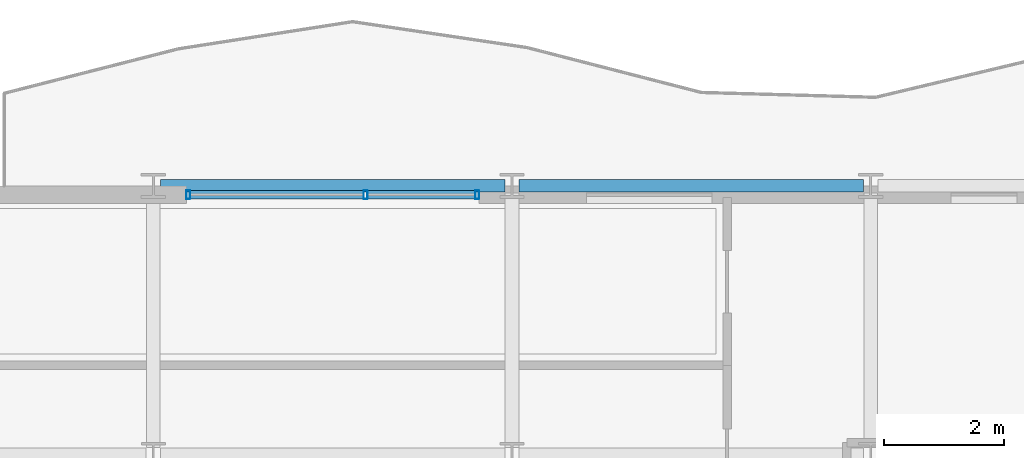
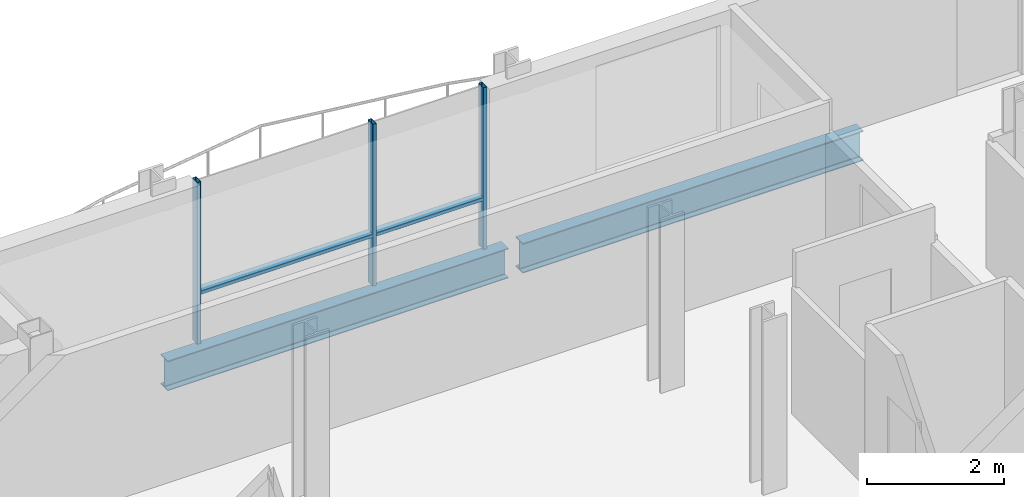
# One storey, part 23 of 41: 5 members, 2 beams, 1 element without a shape of its own.
"""IFC4 building model written with IfcOpenShell, lengths in metres."""

from ifc_helpers import new_model, si_unit, direction, frame, origin, origin_2d, place, context, subcontext, project, spatial, hollow_rectangle, i_section, extrude, material, layer, layer_set, material_profile, profile_set, type_object, element, aggregate, save


model = new_model("IFC4")

# Units and contexts
model_context = context("Model", 3, precision=1e-05, world=origin(), true_north=direction((0.0, 1.0)))
body_context = subcontext(model_context, "Body", "Model", "MODEL_VIEW")
ifc_project = project(units=[si_unit("LENGTHUNIT", "METRE"), si_unit("AREAUNIT", "SQUARE_METRE"), si_unit("VOLUMEUNIT", "CUBIC_METRE"), si_unit("PLANEANGLEUNIT", "RADIAN"), si_unit("MASSUNIT", "GRAM", prefix="KILO")], contexts=[model_context])

# Site, building, storey
site_placement = place(None, origin())
site = spatial("IfcSite", under=ifc_project, at=site_placement, CompositionType="ELEMENT")
building_placement = place(site_placement, origin())
building = spatial("IfcBuilding", under=site, at=building_placement, Name="Brevholm Reach", CompositionType="ELEMENT")
storey_placement = place(building_placement, frame((0.0, 0.0, 169.699951171875)))
storey = spatial("IfcBuildingStorey", under=building, at=storey_placement, Name="L51", CompositionType="ELEMENT", Elevation=169.699951171875)

# Beams
ifc_material_1 = material(Name="Structural Steel S355J2", Category="steel")
ifc_material_profile_1 = material_profile(ifc_material_1, i_section(OverallWidth=0.209228515625, OverallDepth=0.533203125, WebThickness=0.010009765625, FlangeThickness=0.015625, FilletRadius=0.0126953125, at=origin_2d()), Name="UKB 533x210x92")
ifc_profile_set_1 = profile_set([ifc_material_profile_1], Name="Structural Steel S355J2")
beam_type = type_object("IfcBeamType", Name="BM-SP533", PredefinedType="SPANDREL", material=ifc_profile_set_1)
for number, where, z_axis, x_axis, name in (
    (1, (6.1201171875, 31.0, -0.486572265625), (1.0, 0.0, 0.0), (0.0, 1.0, 0.0), "L51 SP-02 Framing Beam"),
    (2, (12.1201171875, 31.0, -0.486572265625), (1.0, 0.0, 0.0), (0.0, 1.0, 0.0), "L51 SP-02 Framing Beam"),
):
    element("IfcBeam", number, at=place(storey_placement, frame(where, z_axis=z_axis, x_axis=x_axis)), inside=storey, type_object=beam_type, Name=name, PredefinedType="SPANDREL", context=body_context, shape_type="SweptSolid", body=[
        extrude(i_section(OverallWidth=0.209228515625, OverallDepth=0.533203125, WebThickness=0.010009765625, FlangeThickness=0.015625, FilletRadius=0.0126953125, at=origin_2d()), origin(), (0.0, 0.0, 1.0), 5.759765625),
    ])

# Curtain wall, members
ifc_material_2 = material(Name="Dark Anodised Aluminium 6063-T6 and Solar-Control Glass", Category="aluminium")
ifc_layer = layer(ifc_material_2, 0.14990234375)
ifc_layer_set = layer_set([ifc_layer], Name="Dark Anodised Aluminium 6063-T6 and Solar-Control Glass")
curtain_wall_type = type_object("IfcCurtainWallType", Name="CW-01", PredefinedType="NOTDEFINED", material=ifc_layer_set)
curtain_wall_placement = place(storey_placement, origin())
curtain_wall = element("IfcCurtainWall", 3, at=curtain_wall_placement, inside=storey, type_object=curtain_wall_type, Name="L51 Curtain Wall CW-01", PredefinedType="NOTDEFINED")
ifc_material_3 = material(Name="Dark Anodised Aluminium 6063-T6", Category="aluminium")
ifc_material_profile_2 = material_profile(ifc_material_3, hollow_rectangle(XDim=0.06494140625, YDim=0.14990234375, WallThickness=0.0048828125, InnerFilletRadius=0.0048828125, OuterFilletRadius=0.010009765625, at=origin_2d()), Name="RHS 150x65x5")
ifc_profile_set_2 = profile_set([ifc_material_profile_2], Name="Dark Anodised Aluminium 6063-T6")
member_type_1 = type_object("IfcMemberType", Name="CWM-150", PredefinedType="MULLION", material=ifc_profile_set_2)
member_1_placement = place(storey_placement, frame((6.58251953125, 30.85009765625, 0.0), z_axis=(0.0, 0.0, 1.0), x_axis=(1.0, 0.0, 0.0)))
member_1 = element("IfcMember", 4, at=member_1_placement, type_object=member_type_1, Name="CM-150 Mullion 1", PredefinedType="MULLION", context=body_context, shape_type="SweptSolid", body=[
    extrude(hollow_rectangle(XDim=0.06494140625, YDim=0.14990234375, WallThickness=0.0048828125, InnerFilletRadius=0.0048828125, OuterFilletRadius=0.010009765625, at=origin_2d()), origin(), (0.0, 0.0, 1.0), 2.89013671875),
])
member_2_placement = place(storey_placement, frame((9.550048828125, 30.85009765625, 0.0), z_axis=(0.0, 0.0, 1.0), x_axis=(1.0, 0.0, 0.0)))
member_2 = element("IfcMember", 5, at=member_2_placement, type_object=member_type_1, Name="CM-150 Mullion 2", PredefinedType="MULLION", context=body_context, shape_type="SweptSolid", body=[
    extrude(hollow_rectangle(XDim=0.06494140625, YDim=0.14990234375, WallThickness=0.0048828125, InnerFilletRadius=0.0048828125, OuterFilletRadius=0.010009765625, at=origin_2d()), origin(), (0.0, 0.0, 1.0), 2.89013671875),
])
member_3_placement = place(storey_placement, frame((11.41748046875, 30.85009765625, 0.0), z_axis=(0.0, 0.0, 1.0), x_axis=(1.0, 0.0, 0.0)))
member_3 = element("IfcMember", 6, at=member_3_placement, type_object=member_type_1, Name="CM-150 Mullion 3", PredefinedType="MULLION", context=body_context, shape_type="SweptSolid", body=[
    extrude(hollow_rectangle(XDim=0.06494140625, YDim=0.14990234375, WallThickness=0.0048828125, InnerFilletRadius=0.0048828125, OuterFilletRadius=0.010009765625, at=origin_2d()), origin(), (0.0, 0.0, 1.0), 2.89013671875),
])
ifc_material_4 = material(Name="Dark Anodised Aluminium 6063-T6", Category="aluminium")
ifc_material_profile_3 = material_profile(ifc_material_4, hollow_rectangle(XDim=0.06494140625, YDim=0.14990234375, WallThickness=0.0048828125, InnerFilletRadius=0.0048828125, OuterFilletRadius=0.010009765625, at=origin_2d()), Name="RHS 150x65x5")
ifc_profile_set_3 = profile_set([ifc_material_profile_3], Name="Dark Anodised Aluminium 6063-T6")
member_type_2 = type_object("IfcMemberType", Name="CWT-150", PredefinedType="NOTDEFINED", material=ifc_profile_set_3)
member_4_placement = place(storey_placement, frame((6.614990234375, 30.85009765625, 0.900146484375), z_axis=(1.0, 0.0, 0.0), x_axis=(0.0, 0.0, 1.0)))
member_4 = element("IfcMember", 7, at=member_4_placement, type_object=member_type_2, Name="CT-150 Transom 1.1", ObjectType="TRANSOM", PredefinedType="USERDEFINED", context=body_context, shape_type="SweptSolid", body=[
    extrude(hollow_rectangle(XDim=0.06494140625, YDim=0.14990234375, WallThickness=0.0048828125, InnerFilletRadius=0.0048828125, OuterFilletRadius=0.010009765625, at=origin_2d()), origin(), (0.0, 0.0, 1.0), 2.902587890625),
])
member_5_placement = place(storey_placement, frame((9.58251953125, 30.85009765625, 0.900146484375), z_axis=(1.0, 0.0, 0.0), x_axis=(0.0, 0.0, 1.0)))
member_5 = element("IfcMember", 8, at=member_5_placement, type_object=member_type_2, Name="CT-150 Transom 2.1", ObjectType="TRANSOM", PredefinedType="USERDEFINED", context=body_context, shape_type="SweptSolid", body=[
    extrude(hollow_rectangle(XDim=0.06494140625, YDim=0.14990234375, WallThickness=0.0048828125, InnerFilletRadius=0.0048828125, OuterFilletRadius=0.010009765625, at=origin_2d()), origin(), (0.0, 0.0, 1.0), 1.802490234375),
])
aggregate(curtain_wall, [member_1, member_2, member_3, member_4, member_5])

save(model, "model.ifc")
